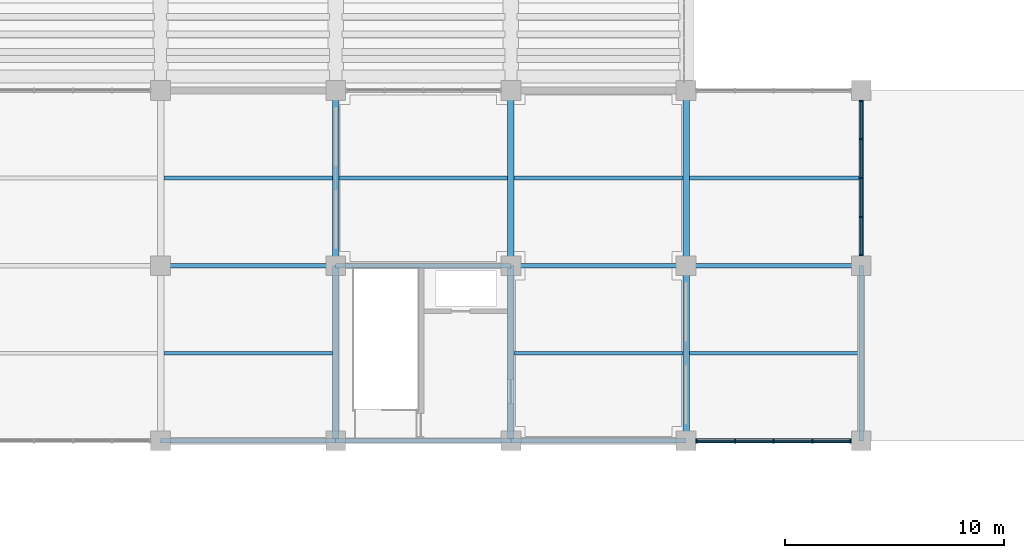
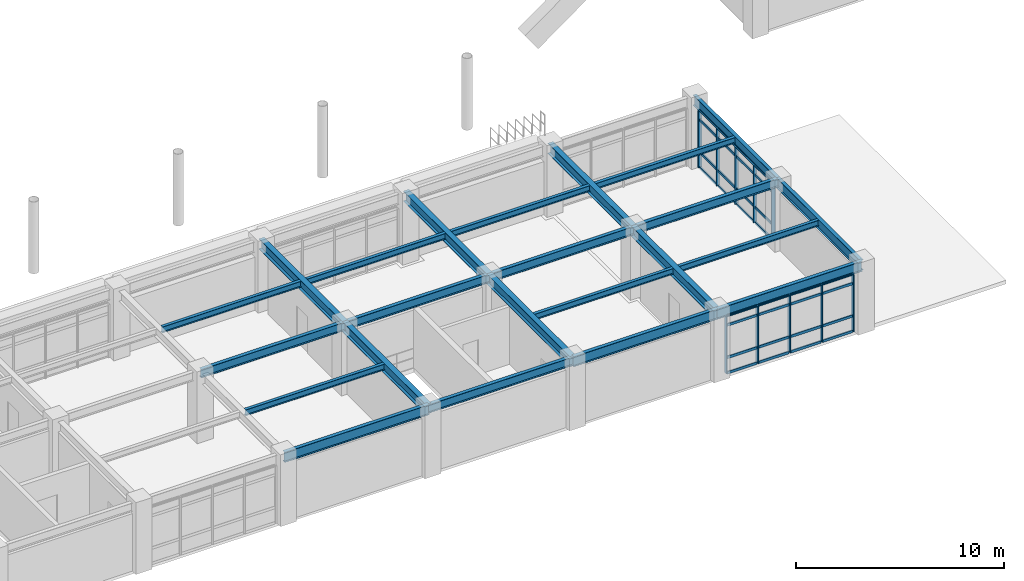
# One storey, part 22 of 118: 42 members, 23 beams, 2 elements without a shape of their own.
"""IFC4 building model written with IfcOpenShell, lengths in metres."""

from ifc_helpers import new_model, si_unit, direction, frame, origin, origin_2d, place, context, subcontext, project, spatial, rectangle, i_section, extrude, material, layer, layer_set, material_profile, profile_set, type_object, element, aggregate, save


model = new_model("IFC4")

# Units and contexts
model_context = context("Model", 3, precision=1e-05, world=origin(), true_north=direction((0.0, 1.0)))
body_context = subcontext(model_context, "Body", "Model", "MODEL_VIEW")
ifc_project = project(units=[si_unit("LENGTHUNIT", "METRE"), si_unit("AREAUNIT", "SQUARE_METRE"), si_unit("VOLUMEUNIT", "CUBIC_METRE"), si_unit("PLANEANGLEUNIT", "RADIAN"), si_unit("MASSUNIT", "GRAM", prefix="KILO")], contexts=[model_context])

# Site, building, storey
site_placement = place(None, origin())
site = spatial("IfcSite", under=ifc_project, at=site_placement, CompositionType="ELEMENT")
building_placement = place(site_placement, origin())
building = spatial("IfcBuilding", under=site, at=building_placement, Name="Haebicheon Civic Stadium", CompositionType="ELEMENT")
storey_placement = place(building_placement, frame((0.0, 0.0, 14.39990234375)))
storey = spatial("IfcBuildingStorey", under=building, at=storey_placement, Name="L04", CompositionType="ELEMENT", Elevation=14.39990234375)

# Beams
ifc_material_1 = material(Name="Steel SM355 (S355)", Category="steel")
ifc_material_profile_1 = material_profile(ifc_material_1, i_section(OverallWidth=0.199951171875, OverallDepth=0.5, WebThickness=0.010009765625, FlangeThickness=0.01611328125, at=origin_2d()), Name="H-500x200x10x16")
ifc_profile_set_1 = profile_set([ifc_material_profile_1], Name="Steel SM355 (S355)")
beam_type_1 = type_object("IfcBeamType", Name="BM-ST-H500", PredefinedType="BEAM", material=ifc_profile_set_1)
for number, where, z_axis, x_axis, name in (
    (1, (104.0, 24.0, 3.72998046875), (1.0, 0.0, 0.0), (0.0, 1.0, 0.0), "L04 beam D/14-15"),
    (2, (112.0, 16.0, 3.72998046875), (1.0, 0.0, 0.0), (0.0, 1.0, 0.0), "L04 beam C/15-16"),
    (3, (112.0, 24.0, 3.72998046875), (1.0, 0.0, 0.0), (0.0, 1.0, 0.0), "L04 beam D/15-16"),
    (4, (120.0, 24.0, 3.72998046875), (1.0, 0.0, 0.0), (0.0, 1.0, 0.0), "L04 beam D/16-17"),
    (5, (128.0, 24.0, 3.72998046875), (1.0, 0.0, 0.0), (0.0, 1.0, 0.0), "L04 beam D/17-18"),
):
    element("IfcBeam", number, at=place(storey_placement, frame(where, z_axis=z_axis, x_axis=x_axis)), inside=storey, type_object=beam_type_1, material=ifc_profile_set_1, Name=name, PredefinedType="BEAM", context=body_context, shape_type="SweptSolid", body=[
        extrude(i_section(OverallWidth=0.199951171875, OverallDepth=0.5, WebThickness=0.010009765625, FlangeThickness=0.01611328125, at=origin_2d()), origin(), (0.0, 0.0, 1.0), 8.0),
    ])
ifc_material_2 = material(Name="Steel SM355 (S355)", Category="steel")
ifc_material_profile_2 = material_profile(ifc_material_2, i_section(OverallWidth=0.300048828125, OverallDepth=0.60009765625, WebThickness=0.011962890625, FlangeThickness=0.02001953125, at=origin_2d()), Name="H-600x300x12x20")
ifc_profile_set_2 = profile_set([ifc_material_profile_2], Name="Steel SM355 (S355)")
beam_type_2 = type_object("IfcBeamType", Name="BM-ST-H600A", PredefinedType="BEAM", material=ifc_profile_set_2)
for number, where, z_axis, x_axis, name in (
    (6, (112.0, 16.0, 3.68017578125), (0.0, 1.0, 0.0), (-1.0, 0.0, 0.0), "L04 girder 15/C-D"),
    (7, (112.0, 24.0, 3.68017578125), (0.0, 1.0, 0.0), (-1.0, 0.0, 0.0), "L04 girder 15/D-E"),
    (8, (120.0, 16.0, 3.68017578125), (0.0, 1.0, 0.0), (-1.0, 0.0, 0.0), "L04 girder 16/C-D"),
    (9, (120.0, 24.0, 3.68017578125), (0.0, 1.0, 0.0), (-1.0, 0.0, 0.0), "L04 girder 16/D-E"),
    (10, (128.0, 16.0, 3.68017578125), (0.0, 1.0, 0.0), (-1.0, 0.0, 0.0), "L04 girder 17/C-D"),
    (11, (128.0, 24.0, 3.68017578125), (0.0, 1.0, 0.0), (-1.0, 0.0, 0.0), "L04 girder 17/D-E"),
):
    element("IfcBeam", number, at=place(storey_placement, frame(where, z_axis=z_axis, x_axis=x_axis)), inside=storey, type_object=beam_type_2, material=ifc_profile_set_2, Name=name, PredefinedType="BEAM", context=body_context, shape_type="SweptSolid", body=[
        extrude(i_section(OverallWidth=0.300048828125, OverallDepth=0.60009765625, WebThickness=0.011962890625, FlangeThickness=0.02001953125, at=origin_2d()), origin(), (0.0, 0.0, 1.0), 8.0),
    ])

# Curtain wall, members
ifc_material_3 = material(Name="Anodised aluminium and laminated glass", Category="aluminium")
ifc_layer = layer(ifc_material_3, 0.179931640625, Name="Anodised aluminium and laminated glass")
ifc_layer_set = layer_set([ifc_layer], Name="Anodised aluminium and laminated glass")
curtain_wall_type = type_object("IfcCurtainWallType", Name="CW-7100x3350", PredefinedType="NOTDEFINED", material=ifc_layer_set)
curtain_wall_1_placement = place(storey_placement, origin())
curtain_wall_1 = element("IfcCurtainWall", 12, at=curtain_wall_1_placement, inside=storey, type_object=curtain_wall_type, material=ifc_layer_set, Name="L04 unitised curtain wall 139", PredefinedType="NOTDEFINED")
ifc_material_4 = material(Name="Anodised aluminium 6063-T6", Category="aluminium")
ifc_material_profile_3 = material_profile(ifc_material_4, rectangle(XDim=0.070068359375, YDim=0.199951171875, at=origin_2d()), Name="ALU-MULL-70x200")
ifc_profile_set_3 = profile_set([ifc_material_profile_3], Name="Anodised aluminium 6063-T6")
member_type_1 = type_object("IfcMemberType", Name="CWM-200x70", PredefinedType="MULLION", material=ifc_profile_set_3)
member_1_placement = place(storey_placement, frame((128.485107421875, 16.0, 0.0), z_axis=(0.0, 0.0, 1.0), x_axis=(1.0, 0.0, 0.0)))
member_1 = element("IfcMember", 13, at=member_1_placement, type_object=member_type_1, material=ifc_profile_set_3, Name="CW-L04-139 vertical mullion 1", PredefinedType="MULLION", context=body_context, shape_type="SweptSolid", body=[
    extrude(rectangle(XDim=0.070068359375, YDim=0.199951171875, at=origin_2d()), origin(), (0.0, 0.0, 1.0), 3.35009765625),
])
member_2_placement = place(storey_placement, frame((130.22509765625, 16.0, 0.0), z_axis=(0.0, 0.0, 1.0), x_axis=(1.0, 0.0, 0.0)))
member_2 = element("IfcMember", 14, at=member_2_placement, type_object=member_type_1, material=ifc_profile_set_3, Name="CW-L04-139 vertical mullion 2", PredefinedType="MULLION", context=body_context, shape_type="SweptSolid", body=[
    extrude(rectangle(XDim=0.070068359375, YDim=0.199951171875, at=origin_2d()), origin(), (0.0, 0.0, 1.0), 3.35009765625),
])
member_3_placement = place(storey_placement, frame((132.0, 16.0, 0.0), z_axis=(0.0, 0.0, 1.0), x_axis=(1.0, 0.0, 0.0)))
member_3 = element("IfcMember", 15, at=member_3_placement, type_object=member_type_1, material=ifc_profile_set_3, Name="CW-L04-139 vertical mullion 3", PredefinedType="MULLION", context=body_context, shape_type="SweptSolid", body=[
    extrude(rectangle(XDim=0.070068359375, YDim=0.199951171875, at=origin_2d()), origin(), (0.0, 0.0, 1.0), 3.35009765625),
])
member_4_placement = place(storey_placement, frame((133.77490234375, 16.0, 0.0), z_axis=(0.0, 0.0, 1.0), x_axis=(1.0, 0.0, 0.0)))
member_4 = element("IfcMember", 16, at=member_4_placement, type_object=member_type_1, material=ifc_profile_set_3, Name="CW-L04-139 vertical mullion 4", PredefinedType="MULLION", context=body_context, shape_type="SweptSolid", body=[
    extrude(rectangle(XDim=0.070068359375, YDim=0.199951171875, at=origin_2d()), origin(), (0.0, 0.0, 1.0), 3.35009765625),
])
member_5_placement = place(storey_placement, frame((135.514892578125, 16.0, 0.0), z_axis=(0.0, 0.0, 1.0), x_axis=(1.0, 0.0, 0.0)))
member_5 = element("IfcMember", 17, at=member_5_placement, type_object=member_type_1, material=ifc_profile_set_3, Name="CW-L04-139 vertical mullion 5", PredefinedType="MULLION", context=body_context, shape_type="SweptSolid", body=[
    extrude(rectangle(XDim=0.070068359375, YDim=0.199951171875, at=origin_2d()), origin(), (0.0, 0.0, 1.0), 3.35009765625),
])

curtain_wall_2_placement = place(storey_placement, origin())
curtain_wall_2 = element("IfcCurtainWall", 18, at=curtain_wall_2_placement, inside=storey, type_object=curtain_wall_type, material=ifc_layer_set, Name="L04 unitised curtain wall 141", PredefinedType="NOTDEFINED")
member_6_placement = place(storey_placement, frame((136.0, 24.485107421875, 0.0), z_axis=(0.0, 0.0, 1.0), x_axis=(0.0, 1.0, 0.0)))
member_6 = element("IfcMember", 19, at=member_6_placement, type_object=member_type_1, material=ifc_profile_set_3, Name="CW-L04-141 vertical mullion 1", PredefinedType="MULLION", context=body_context, shape_type="SweptSolid", body=[
    extrude(rectangle(XDim=0.070068359375, YDim=0.199951171875, at=origin_2d()), origin(), (0.0, 0.0, 1.0), 3.35009765625),
])
member_7_placement = place(storey_placement, frame((136.0, 26.22509765625, 0.0), z_axis=(0.0, 0.0, 1.0), x_axis=(0.0, 1.0, 0.0)))
member_7 = element("IfcMember", 20, at=member_7_placement, type_object=member_type_1, material=ifc_profile_set_3, Name="CW-L04-141 vertical mullion 2", PredefinedType="MULLION", context=body_context, shape_type="SweptSolid", body=[
    extrude(rectangle(XDim=0.070068359375, YDim=0.199951171875, at=origin_2d()), origin(), (0.0, 0.0, 1.0), 3.35009765625),
])
member_8_placement = place(storey_placement, frame((136.0, 28.0, 0.0), z_axis=(0.0, 0.0, 1.0), x_axis=(0.0, 1.0, 0.0)))
member_8 = element("IfcMember", 21, at=member_8_placement, type_object=member_type_1, material=ifc_profile_set_3, Name="CW-L04-141 vertical mullion 3", PredefinedType="MULLION", context=body_context, shape_type="SweptSolid", body=[
    extrude(rectangle(XDim=0.070068359375, YDim=0.199951171875, at=origin_2d()), origin(), (0.0, 0.0, 1.0), 3.35009765625),
])
member_9_placement = place(storey_placement, frame((136.0, 29.77490234375, 0.0), z_axis=(0.0, 0.0, 1.0), x_axis=(0.0, 1.0, 0.0)))
member_9 = element("IfcMember", 22, at=member_9_placement, type_object=member_type_1, material=ifc_profile_set_3, Name="CW-L04-141 vertical mullion 4", PredefinedType="MULLION", context=body_context, shape_type="SweptSolid", body=[
    extrude(rectangle(XDim=0.070068359375, YDim=0.199951171875, at=origin_2d()), origin(), (0.0, 0.0, 1.0), 3.35009765625),
])
member_10_placement = place(storey_placement, frame((136.0, 31.514892578125, 0.0), z_axis=(0.0, 0.0, 1.0), x_axis=(0.0, 1.0, 0.0)))
member_10 = element("IfcMember", 23, at=member_10_placement, type_object=member_type_1, material=ifc_profile_set_3, Name="CW-L04-141 vertical mullion 5", PredefinedType="MULLION", context=body_context, shape_type="SweptSolid", body=[
    extrude(rectangle(XDim=0.070068359375, YDim=0.199951171875, at=origin_2d()), origin(), (0.0, 0.0, 1.0), 3.35009765625),
])

# Member
ifc_material_5 = material(Name="Anodised aluminium 6063-T6", Category="aluminium")
ifc_material_profile_4 = material_profile(ifc_material_5, rectangle(XDim=0.070068359375, YDim=0.14990234375, at=origin_2d()), Name="ALU-TRAN-70x150")
ifc_profile_set_4 = profile_set([ifc_material_profile_4], Name="Anodised aluminium 6063-T6")
member_type_2 = type_object("IfcMemberType", Name="CWT-150x70", PredefinedType="NOTDEFINED", material=ifc_profile_set_4)
member_11_placement = place(storey_placement, frame((128.52001953125, 16.0, 0.0), z_axis=(1.0, 0.0, 0.0), x_axis=(0.0, 1.0, 0.0)))
member_11 = element("IfcMember", 24, at=member_11_placement, type_object=member_type_2, material=ifc_profile_set_4, Name="CW-L04-139 horizontal transom 1.1", ObjectType="TRANSOM", PredefinedType="USERDEFINED", context=body_context, shape_type="SweptSolid", body=[
    extrude(rectangle(XDim=0.070068359375, YDim=0.14990234375, at=origin_2d()), origin(), (0.0, 0.0, 1.0), 1.669921875),
])

member_12_placement = place(storey_placement, frame((128.52001953125, 16.0, 0.900146484375), z_axis=(1.0, 0.0, 0.0), x_axis=(0.0, 1.0, 0.0)))
member_12 = element("IfcMember", 25, at=member_12_placement, type_object=member_type_2, material=ifc_profile_set_4, Name="CW-L04-139 horizontal transom 1.2", ObjectType="TRANSOM", PredefinedType="USERDEFINED", context=body_context, shape_type="SweptSolid", body=[
    extrude(rectangle(XDim=0.070068359375, YDim=0.14990234375, at=origin_2d()), origin(), (0.0, 0.0, 1.0), 1.669921875),
])

member_13_placement = place(storey_placement, frame((128.52001953125, 16.0, 2.800048828125), z_axis=(1.0, 0.0, 0.0), x_axis=(0.0, 1.0, 0.0)))
member_13 = element("IfcMember", 26, at=member_13_placement, type_object=member_type_2, material=ifc_profile_set_4, Name="CW-L04-139 horizontal transom 1.3", ObjectType="TRANSOM", PredefinedType="USERDEFINED", context=body_context, shape_type="SweptSolid", body=[
    extrude(rectangle(XDim=0.070068359375, YDim=0.14990234375, at=origin_2d()), origin(), (0.0, 0.0, 1.0), 1.669921875),
])

member_14_placement = place(storey_placement, frame((128.52001953125, 16.0, 3.35009765625), z_axis=(1.0, 0.0, 0.0), x_axis=(0.0, 1.0, 0.0)))
member_14 = element("IfcMember", 27, at=member_14_placement, type_object=member_type_2, material=ifc_profile_set_4, Name="CW-L04-139 horizontal transom 1.4", ObjectType="TRANSOM", PredefinedType="USERDEFINED", context=body_context, shape_type="SweptSolid", body=[
    extrude(rectangle(XDim=0.070068359375, YDim=0.14990234375, at=origin_2d()), origin(), (0.0, 0.0, 1.0), 1.669921875),
])

member_15_placement = place(storey_placement, frame((130.260009765625, 16.0, 0.0), z_axis=(1.0, 0.0, 0.0), x_axis=(0.0, 1.0, 0.0)))
member_15 = element("IfcMember", 28, at=member_15_placement, type_object=member_type_2, material=ifc_profile_set_4, Name="CW-L04-139 horizontal transom 2.1", ObjectType="TRANSOM", PredefinedType="USERDEFINED", context=body_context, shape_type="SweptSolid", body=[
    extrude(rectangle(XDim=0.070068359375, YDim=0.14990234375, at=origin_2d()), origin(), (0.0, 0.0, 1.0), 1.705078125),
])

member_16_placement = place(storey_placement, frame((130.260009765625, 16.0, 0.900146484375), z_axis=(1.0, 0.0, 0.0), x_axis=(0.0, 1.0, 0.0)))
member_16 = element("IfcMember", 29, at=member_16_placement, type_object=member_type_2, material=ifc_profile_set_4, Name="CW-L04-139 horizontal transom 2.2", ObjectType="TRANSOM", PredefinedType="USERDEFINED", context=body_context, shape_type="SweptSolid", body=[
    extrude(rectangle(XDim=0.070068359375, YDim=0.14990234375, at=origin_2d()), origin(), (0.0, 0.0, 1.0), 1.705078125),
])

member_17_placement = place(storey_placement, frame((130.260009765625, 16.0, 2.800048828125), z_axis=(1.0, 0.0, 0.0), x_axis=(0.0, 1.0, 0.0)))
member_17 = element("IfcMember", 30, at=member_17_placement, type_object=member_type_2, material=ifc_profile_set_4, Name="CW-L04-139 horizontal transom 2.3", ObjectType="TRANSOM", PredefinedType="USERDEFINED", context=body_context, shape_type="SweptSolid", body=[
    extrude(rectangle(XDim=0.070068359375, YDim=0.14990234375, at=origin_2d()), origin(), (0.0, 0.0, 1.0), 1.705078125),
])

member_18_placement = place(storey_placement, frame((130.260009765625, 16.0, 3.35009765625), z_axis=(1.0, 0.0, 0.0), x_axis=(0.0, 1.0, 0.0)))
member_18 = element("IfcMember", 31, at=member_18_placement, type_object=member_type_2, material=ifc_profile_set_4, Name="CW-L04-139 horizontal transom 2.4", ObjectType="TRANSOM", PredefinedType="USERDEFINED", context=body_context, shape_type="SweptSolid", body=[
    extrude(rectangle(XDim=0.070068359375, YDim=0.14990234375, at=origin_2d()), origin(), (0.0, 0.0, 1.0), 1.705078125),
])

member_19_placement = place(storey_placement, frame((132.034912109375, 16.0, 0.0), z_axis=(1.0, 0.0, 0.0), x_axis=(0.0, 1.0, 0.0)))
member_19 = element("IfcMember", 32, at=member_19_placement, type_object=member_type_2, material=ifc_profile_set_4, Name="CW-L04-139 horizontal transom 3.1", ObjectType="TRANSOM", PredefinedType="USERDEFINED", context=body_context, shape_type="SweptSolid", body=[
    extrude(rectangle(XDim=0.070068359375, YDim=0.14990234375, at=origin_2d()), origin(), (0.0, 0.0, 1.0), 1.705078125),
])

member_20_placement = place(storey_placement, frame((132.034912109375, 16.0, 0.900146484375), z_axis=(1.0, 0.0, 0.0), x_axis=(0.0, 1.0, 0.0)))
member_20 = element("IfcMember", 33, at=member_20_placement, type_object=member_type_2, material=ifc_profile_set_4, Name="CW-L04-139 horizontal transom 3.2", ObjectType="TRANSOM", PredefinedType="USERDEFINED", context=body_context, shape_type="SweptSolid", body=[
    extrude(rectangle(XDim=0.070068359375, YDim=0.14990234375, at=origin_2d()), origin(), (0.0, 0.0, 1.0), 1.705078125),
])

member_21_placement = place(storey_placement, frame((132.034912109375, 16.0, 2.800048828125), z_axis=(1.0, 0.0, 0.0), x_axis=(0.0, 1.0, 0.0)))
member_21 = element("IfcMember", 34, at=member_21_placement, type_object=member_type_2, material=ifc_profile_set_4, Name="CW-L04-139 horizontal transom 3.3", ObjectType="TRANSOM", PredefinedType="USERDEFINED", context=body_context, shape_type="SweptSolid", body=[
    extrude(rectangle(XDim=0.070068359375, YDim=0.14990234375, at=origin_2d()), origin(), (0.0, 0.0, 1.0), 1.705078125),
])

member_22_placement = place(storey_placement, frame((132.034912109375, 16.0, 3.35009765625), z_axis=(1.0, 0.0, 0.0), x_axis=(0.0, 1.0, 0.0)))
member_22 = element("IfcMember", 35, at=member_22_placement, type_object=member_type_2, material=ifc_profile_set_4, Name="CW-L04-139 horizontal transom 3.4", ObjectType="TRANSOM", PredefinedType="USERDEFINED", context=body_context, shape_type="SweptSolid", body=[
    extrude(rectangle(XDim=0.070068359375, YDim=0.14990234375, at=origin_2d()), origin(), (0.0, 0.0, 1.0), 1.705078125),
])

member_23_placement = place(storey_placement, frame((133.81005859375, 16.0, 0.0), z_axis=(1.0, 0.0, 0.0), x_axis=(0.0, 1.0, 0.0)))
member_23 = element("IfcMember", 36, at=member_23_placement, type_object=member_type_2, material=ifc_profile_set_4, Name="CW-L04-139 horizontal transom 4.1", ObjectType="TRANSOM", PredefinedType="USERDEFINED", context=body_context, shape_type="SweptSolid", body=[
    extrude(rectangle(XDim=0.070068359375, YDim=0.14990234375, at=origin_2d()), origin(), (0.0, 0.0, 1.0), 1.669921875),
])

member_24_placement = place(storey_placement, frame((133.81005859375, 16.0, 0.900146484375), z_axis=(1.0, 0.0, 0.0), x_axis=(0.0, 1.0, 0.0)))
member_24 = element("IfcMember", 37, at=member_24_placement, type_object=member_type_2, material=ifc_profile_set_4, Name="CW-L04-139 horizontal transom 4.2", ObjectType="TRANSOM", PredefinedType="USERDEFINED", context=body_context, shape_type="SweptSolid", body=[
    extrude(rectangle(XDim=0.070068359375, YDim=0.14990234375, at=origin_2d()), origin(), (0.0, 0.0, 1.0), 1.669921875),
])

member_25_placement = place(storey_placement, frame((133.81005859375, 16.0, 2.800048828125), z_axis=(1.0, 0.0, 0.0), x_axis=(0.0, 1.0, 0.0)))
member_25 = element("IfcMember", 38, at=member_25_placement, type_object=member_type_2, material=ifc_profile_set_4, Name="CW-L04-139 horizontal transom 4.3", ObjectType="TRANSOM", PredefinedType="USERDEFINED", context=body_context, shape_type="SweptSolid", body=[
    extrude(rectangle(XDim=0.070068359375, YDim=0.14990234375, at=origin_2d()), origin(), (0.0, 0.0, 1.0), 1.669921875),
])

member_26_placement = place(storey_placement, frame((133.81005859375, 16.0, 3.35009765625), z_axis=(1.0, 0.0, 0.0), x_axis=(0.0, 1.0, 0.0)))
member_26 = element("IfcMember", 39, at=member_26_placement, type_object=member_type_2, material=ifc_profile_set_4, Name="CW-L04-139 horizontal transom 4.4", ObjectType="TRANSOM", PredefinedType="USERDEFINED", context=body_context, shape_type="SweptSolid", body=[
    extrude(rectangle(XDim=0.070068359375, YDim=0.14990234375, at=origin_2d()), origin(), (0.0, 0.0, 1.0), 1.669921875),
])

aggregate(curtain_wall_1, [member_1, member_2, member_3, member_4, member_5, member_11, member_12, member_13, member_14, member_15, member_16, member_17, member_18, member_19, member_20, member_21, member_22, member_23, member_24, member_25, member_26])

member_27_placement = place(storey_placement, frame((136.0, 24.52001953125, 0.0), z_axis=(0.0, 1.0, 0.0), x_axis=(-1.0, 0.0, 0.0)))
member_27 = element("IfcMember", 40, at=member_27_placement, type_object=member_type_2, material=ifc_profile_set_4, Name="CW-L04-141 horizontal transom 1.1", ObjectType="TRANSOM", PredefinedType="USERDEFINED", context=body_context, shape_type="SweptSolid", body=[
    extrude(rectangle(XDim=0.070068359375, YDim=0.14990234375, at=origin_2d()), origin(), (0.0, 0.0, 1.0), 1.669921875),
])

member_28_placement = place(storey_placement, frame((136.0, 24.52001953125, 0.900146484375), z_axis=(0.0, 1.0, 0.0), x_axis=(-1.0, 0.0, 0.0)))
member_28 = element("IfcMember", 41, at=member_28_placement, type_object=member_type_2, material=ifc_profile_set_4, Name="CW-L04-141 horizontal transom 1.2", ObjectType="TRANSOM", PredefinedType="USERDEFINED", context=body_context, shape_type="SweptSolid", body=[
    extrude(rectangle(XDim=0.070068359375, YDim=0.14990234375, at=origin_2d()), origin(), (0.0, 0.0, 1.0), 1.669921875),
])

member_29_placement = place(storey_placement, frame((136.0, 24.52001953125, 2.800048828125), z_axis=(0.0, 1.0, 0.0), x_axis=(-1.0, 0.0, 0.0)))
member_29 = element("IfcMember", 42, at=member_29_placement, type_object=member_type_2, material=ifc_profile_set_4, Name="CW-L04-141 horizontal transom 1.3", ObjectType="TRANSOM", PredefinedType="USERDEFINED", context=body_context, shape_type="SweptSolid", body=[
    extrude(rectangle(XDim=0.070068359375, YDim=0.14990234375, at=origin_2d()), origin(), (0.0, 0.0, 1.0), 1.669921875),
])

member_30_placement = place(storey_placement, frame((136.0, 24.52001953125, 3.35009765625), z_axis=(0.0, 1.0, 0.0), x_axis=(-1.0, 0.0, 0.0)))
member_30 = element("IfcMember", 43, at=member_30_placement, type_object=member_type_2, material=ifc_profile_set_4, Name="CW-L04-141 horizontal transom 1.4", ObjectType="TRANSOM", PredefinedType="USERDEFINED", context=body_context, shape_type="SweptSolid", body=[
    extrude(rectangle(XDim=0.070068359375, YDim=0.14990234375, at=origin_2d()), origin(), (0.0, 0.0, 1.0), 1.669921875),
])

member_31_placement = place(storey_placement, frame((136.0, 26.260009765625, 0.0), z_axis=(0.0, 1.0, 0.0), x_axis=(-1.0, 0.0, 0.0)))
member_31 = element("IfcMember", 44, at=member_31_placement, type_object=member_type_2, material=ifc_profile_set_4, Name="CW-L04-141 horizontal transom 2.1", ObjectType="TRANSOM", PredefinedType="USERDEFINED", context=body_context, shape_type="SweptSolid", body=[
    extrude(rectangle(XDim=0.070068359375, YDim=0.14990234375, at=origin_2d()), origin(), (0.0, 0.0, 1.0), 1.705078125),
])

member_32_placement = place(storey_placement, frame((136.0, 26.260009765625, 0.900146484375), z_axis=(0.0, 1.0, 0.0), x_axis=(-1.0, 0.0, 0.0)))
member_32 = element("IfcMember", 45, at=member_32_placement, type_object=member_type_2, material=ifc_profile_set_4, Name="CW-L04-141 horizontal transom 2.2", ObjectType="TRANSOM", PredefinedType="USERDEFINED", context=body_context, shape_type="SweptSolid", body=[
    extrude(rectangle(XDim=0.070068359375, YDim=0.14990234375, at=origin_2d()), origin(), (0.0, 0.0, 1.0), 1.705078125),
])

member_33_placement = place(storey_placement, frame((136.0, 26.260009765625, 2.800048828125), z_axis=(0.0, 1.0, 0.0), x_axis=(-1.0, 0.0, 0.0)))
member_33 = element("IfcMember", 46, at=member_33_placement, type_object=member_type_2, material=ifc_profile_set_4, Name="CW-L04-141 horizontal transom 2.3", ObjectType="TRANSOM", PredefinedType="USERDEFINED", context=body_context, shape_type="SweptSolid", body=[
    extrude(rectangle(XDim=0.070068359375, YDim=0.14990234375, at=origin_2d()), origin(), (0.0, 0.0, 1.0), 1.705078125),
])

member_34_placement = place(storey_placement, frame((136.0, 26.260009765625, 3.35009765625), z_axis=(0.0, 1.0, 0.0), x_axis=(-1.0, 0.0, 0.0)))
member_34 = element("IfcMember", 47, at=member_34_placement, type_object=member_type_2, material=ifc_profile_set_4, Name="CW-L04-141 horizontal transom 2.4", ObjectType="TRANSOM", PredefinedType="USERDEFINED", context=body_context, shape_type="SweptSolid", body=[
    extrude(rectangle(XDim=0.070068359375, YDim=0.14990234375, at=origin_2d()), origin(), (0.0, 0.0, 1.0), 1.705078125),
])

member_35_placement = place(storey_placement, frame((136.0, 28.034912109375, 0.0), z_axis=(0.0, 1.0, 0.0), x_axis=(-1.0, 0.0, 0.0)))
member_35 = element("IfcMember", 48, at=member_35_placement, type_object=member_type_2, material=ifc_profile_set_4, Name="CW-L04-141 horizontal transom 3.1", ObjectType="TRANSOM", PredefinedType="USERDEFINED", context=body_context, shape_type="SweptSolid", body=[
    extrude(rectangle(XDim=0.070068359375, YDim=0.14990234375, at=origin_2d()), origin(), (0.0, 0.0, 1.0), 1.705078125),
])

member_36_placement = place(storey_placement, frame((136.0, 28.034912109375, 0.900146484375), z_axis=(0.0, 1.0, 0.0), x_axis=(-1.0, 0.0, 0.0)))
member_36 = element("IfcMember", 49, at=member_36_placement, type_object=member_type_2, material=ifc_profile_set_4, Name="CW-L04-141 horizontal transom 3.2", ObjectType="TRANSOM", PredefinedType="USERDEFINED", context=body_context, shape_type="SweptSolid", body=[
    extrude(rectangle(XDim=0.070068359375, YDim=0.14990234375, at=origin_2d()), origin(), (0.0, 0.0, 1.0), 1.705078125),
])

member_37_placement = place(storey_placement, frame((136.0, 28.034912109375, 2.800048828125), z_axis=(0.0, 1.0, 0.0), x_axis=(-1.0, 0.0, 0.0)))
member_37 = element("IfcMember", 50, at=member_37_placement, type_object=member_type_2, material=ifc_profile_set_4, Name="CW-L04-141 horizontal transom 3.3", ObjectType="TRANSOM", PredefinedType="USERDEFINED", context=body_context, shape_type="SweptSolid", body=[
    extrude(rectangle(XDim=0.070068359375, YDim=0.14990234375, at=origin_2d()), origin(), (0.0, 0.0, 1.0), 1.705078125),
])

member_38_placement = place(storey_placement, frame((136.0, 28.034912109375, 3.35009765625), z_axis=(0.0, 1.0, 0.0), x_axis=(-1.0, 0.0, 0.0)))
member_38 = element("IfcMember", 51, at=member_38_placement, type_object=member_type_2, material=ifc_profile_set_4, Name="CW-L04-141 horizontal transom 3.4", ObjectType="TRANSOM", PredefinedType="USERDEFINED", context=body_context, shape_type="SweptSolid", body=[
    extrude(rectangle(XDim=0.070068359375, YDim=0.14990234375, at=origin_2d()), origin(), (0.0, 0.0, 1.0), 1.705078125),
])

member_39_placement = place(storey_placement, frame((136.0, 29.81005859375, 0.0), z_axis=(0.0, 1.0, 0.0), x_axis=(-1.0, 0.0, 0.0)))
member_39 = element("IfcMember", 52, at=member_39_placement, type_object=member_type_2, material=ifc_profile_set_4, Name="CW-L04-141 horizontal transom 4.1", ObjectType="TRANSOM", PredefinedType="USERDEFINED", context=body_context, shape_type="SweptSolid", body=[
    extrude(rectangle(XDim=0.070068359375, YDim=0.14990234375, at=origin_2d()), origin(), (0.0, 0.0, 1.0), 1.669921875),
])

member_40_placement = place(storey_placement, frame((136.0, 29.81005859375, 0.900146484375), z_axis=(0.0, 1.0, 0.0), x_axis=(-1.0, 0.0, 0.0)))
member_40 = element("IfcMember", 53, at=member_40_placement, type_object=member_type_2, material=ifc_profile_set_4, Name="CW-L04-141 horizontal transom 4.2", ObjectType="TRANSOM", PredefinedType="USERDEFINED", context=body_context, shape_type="SweptSolid", body=[
    extrude(rectangle(XDim=0.070068359375, YDim=0.14990234375, at=origin_2d()), origin(), (0.0, 0.0, 1.0), 1.669921875),
])

member_41_placement = place(storey_placement, frame((136.0, 29.81005859375, 2.800048828125), z_axis=(0.0, 1.0, 0.0), x_axis=(-1.0, 0.0, 0.0)))
member_41 = element("IfcMember", 54, at=member_41_placement, type_object=member_type_2, material=ifc_profile_set_4, Name="CW-L04-141 horizontal transom 4.3", ObjectType="TRANSOM", PredefinedType="USERDEFINED", context=body_context, shape_type="SweptSolid", body=[
    extrude(rectangle(XDim=0.070068359375, YDim=0.14990234375, at=origin_2d()), origin(), (0.0, 0.0, 1.0), 1.669921875),
])

member_42_placement = place(storey_placement, frame((136.0, 29.81005859375, 3.35009765625), z_axis=(0.0, 1.0, 0.0), x_axis=(-1.0, 0.0, 0.0)))
member_42 = element("IfcMember", 55, at=member_42_placement, type_object=member_type_2, material=ifc_profile_set_4, Name="CW-L04-141 horizontal transom 4.4", ObjectType="TRANSOM", PredefinedType="USERDEFINED", context=body_context, shape_type="SweptSolid", body=[
    extrude(rectangle(XDim=0.070068359375, YDim=0.14990234375, at=origin_2d()), origin(), (0.0, 0.0, 1.0), 1.669921875),
])

aggregate(curtain_wall_2, [member_6, member_7, member_8, member_9, member_10, member_27, member_28, member_29, member_30, member_31, member_32, member_33, member_34, member_35, member_36, member_37, member_38, member_39, member_40, member_41, member_42])

# Beams
ifc_material_6 = material(Name="Steel SM355 (S355)", Category="steel")
ifc_material_profile_5 = material_profile(ifc_material_6, i_section(OverallWidth=0.175048828125, OverallDepth=0.35009765625, WebThickness=0.007080078125, FlangeThickness=0.010986328125, at=origin_2d()), Name="H-350x175x7x11")
ifc_profile_set_5 = profile_set([ifc_material_profile_5], Name="Steel SM355 (S355)")
beam_type_3 = type_object("IfcBeamType", Name="JST-ST-H350", PredefinedType="JOIST", material=ifc_profile_set_5)
for number, where, z_axis, x_axis, name in (
    (56, (104.14990234375, 20.0, 3.80517578125), (1.0, 0.0, 0.0), (0.0, 1.0, 0.0), "L04 secondary joist 13-02"),
    (57, (104.14990234375, 28.0, 3.80517578125), (1.0, 0.0, 0.0), (0.0, 1.0, 0.0), "L04 secondary joist 13-03"),
    (58, (112.14990234375, 28.0, 3.80517578125), (1.0, 0.0, 0.0), (0.0, 1.0, 0.0), "L04 secondary joist 14-03"),
    (59, (120.14990234375, 20.0, 3.80517578125), (1.0, 0.0, 0.0), (0.0, 1.0, 0.0), "L04 secondary joist 15-02"),
    (60, (120.14990234375, 28.0, 3.80517578125), (1.0, 0.0, 0.0), (0.0, 1.0, 0.0), "L04 secondary joist 15-03"),
):
    element("IfcBeam", number, at=place(storey_placement, frame(where, z_axis=z_axis, x_axis=x_axis)), inside=storey, type_object=beam_type_3, material=ifc_profile_set_5, Name=name, PredefinedType="JOIST", context=body_context, shape_type="SweptSolid", body=[
        extrude(i_section(OverallWidth=0.175048828125, OverallDepth=0.35009765625, WebThickness=0.007080078125, FlangeThickness=0.010986328125, at=origin_2d()), origin(), (0.0, 0.0, 1.0), 7.7001953125),
    ])
for number, where, z_axis, x_axis, name in (
    (61, (128.14990234375, 20.0, 3.80517578125), (1.0, 0.0, 0.0), (0.0, 1.0, 0.0), "L04 secondary joist 16-02"),
    (62, (128.14990234375, 28.0, 3.80517578125), (1.0, 0.0, 0.0), (0.0, 1.0, 0.0), "L04 secondary joist 16-03"),
):
    element("IfcBeam", number, at=place(storey_placement, frame(where, z_axis=z_axis, x_axis=x_axis)), inside=storey, type_object=beam_type_3, material=ifc_profile_set_5, Name=name, PredefinedType="JOIST", context=body_context, shape_type="SweptSolid", body=[
        extrude(i_section(OverallWidth=0.175048828125, OverallDepth=0.35009765625, WebThickness=0.007080078125, FlangeThickness=0.010986328125, at=origin_2d()), origin(), (0.0, 0.0, 1.0), 7.75),
    ])
ifc_material_7 = material(Name="Steel SM355 (S355)", Category="steel")
ifc_material_profile_6 = material_profile(ifc_material_7, i_section(OverallWidth=0.199951171875, OverallDepth=0.60009765625, WebThickness=0.010986328125, FlangeThickness=0.01708984375, at=origin_2d()), Name="H-600x200x11x17")
ifc_profile_set_6 = profile_set([ifc_material_profile_6], Name="Steel SM355 (S355)")
beam_type_4 = type_object("IfcBeamType", Name="SPD-ST-H600B", PredefinedType="SPANDREL", material=ifc_profile_set_6)
for number, where, z_axis, x_axis, name in (
    (63, (136.0, 16.0, 3.68017578125), (0.0, 1.0, 0.0), (-1.0, 0.0, 0.0), "L04 girder 18/C-D"),
    (64, (136.0, 24.0, 3.68017578125), (0.0, 1.0, 0.0), (-1.0, 0.0, 0.0), "L04 girder 18/D-E"),
    (65, (104.0, 16.0, 3.68017578125), (1.0, 0.0, 0.0), (0.0, 1.0, 0.0), "L04 beam C/14-15"),
    (66, (120.0, 16.0, 3.68017578125), (1.0, 0.0, 0.0), (0.0, 1.0, 0.0), "L04 beam C/16-17"),
    (67, (128.0, 16.0, 3.68017578125), (1.0, 0.0, 0.0), (0.0, 1.0, 0.0), "L04 beam C/17-18"),
):
    element("IfcBeam", number, at=place(storey_placement, frame(where, z_axis=z_axis, x_axis=x_axis)), inside=storey, type_object=beam_type_4, material=ifc_profile_set_6, Name=name, PredefinedType="SPANDREL", context=body_context, shape_type="SweptSolid", body=[
        extrude(i_section(OverallWidth=0.199951171875, OverallDepth=0.60009765625, WebThickness=0.010986328125, FlangeThickness=0.01708984375, at=origin_2d()), origin(), (0.0, 0.0, 1.0), 8.0),
    ])

save(model, "model.ifc")
